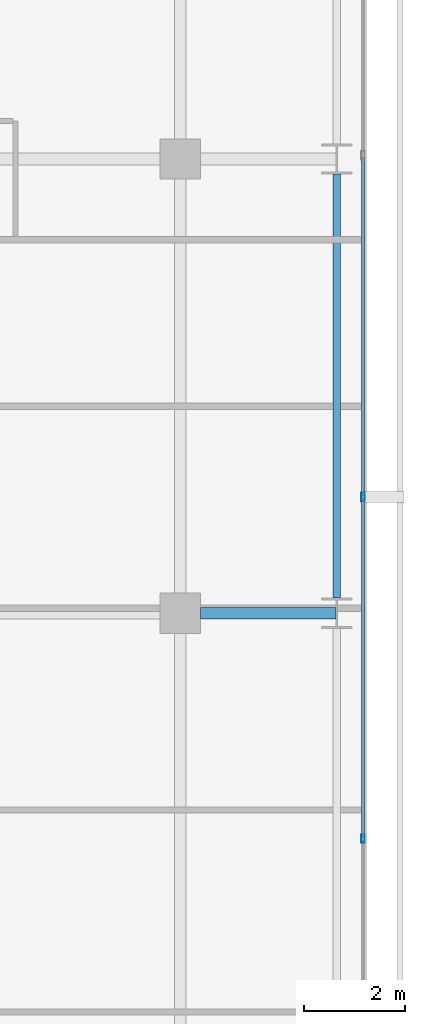
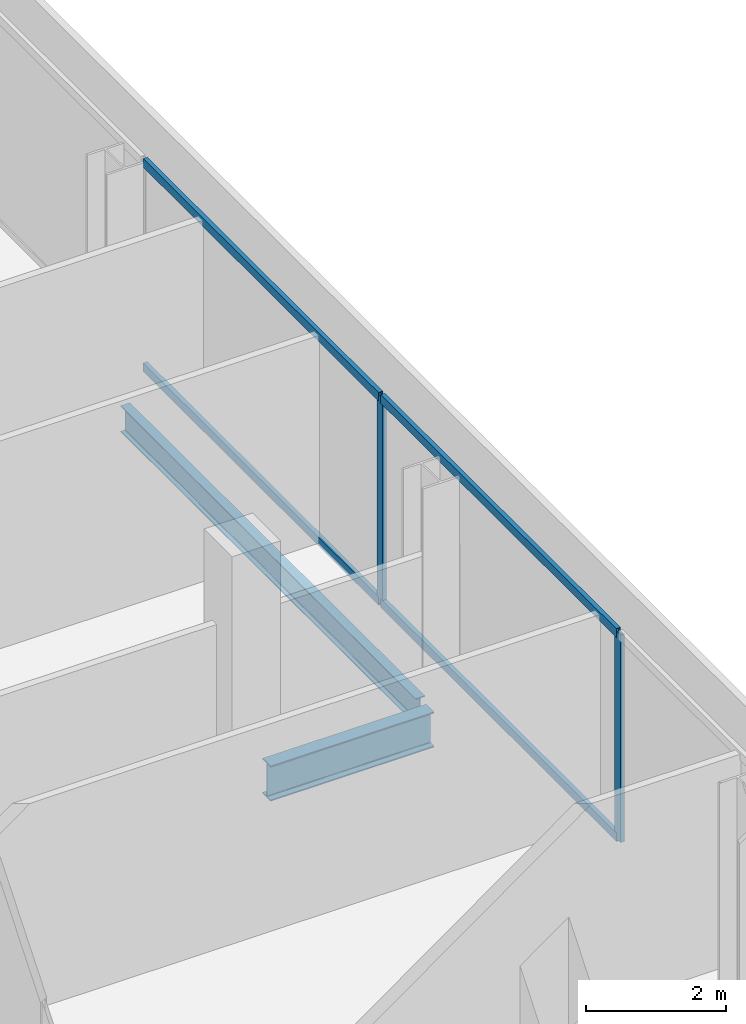
# One storey, part 17 of 34: 6 members, 2 beams, 1 element without a shape of its own.
"""IFC4 building model written with IfcOpenShell, lengths in metres."""

from ifc_helpers import new_model, si_unit, direction, frame, origin, origin_2d, place, context, subcontext, project, spatial, hollow_rectangle, i_section, extrude, material, layer, layer_set, material_profile, profile_set, type_object, element, aggregate, save


model = new_model("IFC4")

# Units and contexts
model_context = context("Model", 3, precision=1e-05, world=origin(), true_north=direction((0.0, 1.0)))
body_context = subcontext(model_context, "Body", "Model", "MODEL_VIEW")
ifc_project = project(units=[si_unit("LENGTHUNIT", "METRE"), si_unit("AREAUNIT", "SQUARE_METRE"), si_unit("VOLUMEUNIT", "CUBIC_METRE"), si_unit("PLANEANGLEUNIT", "RADIAN"), si_unit("MASSUNIT", "GRAM", prefix="KILO")], contexts=[model_context])

# Site, building, storey
site_placement = place(None, origin())
site = spatial("IfcSite", under=ifc_project, at=site_placement, CompositionType="ELEMENT")
building_placement = place(site_placement, origin())
building = spatial("IfcBuilding", under=site, at=building_placement, Name="Maruvema Waterfront Hotel and Observation Tower", CompositionType="ELEMENT")
storey_placement = place(building_placement, frame((0.0, 0.0, 131.25)))
storey = spatial("IfcBuildingStorey", under=building, at=storey_placement, Name="L31", CompositionType="ELEMENT", Elevation=131.25)

# Curtain wall, members
ifc_material_1 = material(Name="Anodised bronze aluminium and solar-control low-E IGU", Category="aluminium")
ifc_layer = layer(ifc_material_1, 0.159912109375, Name="Zone 2 Amber Inner Thermal Curtain Wall System CW-03")
ifc_layer_set = layer_set([ifc_layer], Name="Anodised bronze aluminium and solar-control low-E IGU")
curtain_wall_type = type_object("IfcCurtainWallType", Name="Zone 2 Amber Inner Thermal Curtain Wall System CW-03", PredefinedType="USERDEFINED", material=ifc_layer_set)
curtain_wall_placement = place(storey_placement, origin())
curtain_wall = element("IfcCurtainWall", 1, at=curtain_wall_placement, inside=storey, type_object=curtain_wall_type, Name="L31 Curtain Wall CW-L31-E", ObjectType="UNITISED CURTAIN WALL", PredefinedType="USERDEFINED")
ifc_material_2 = material(Name="Anodised architectural bronze aluminium", Category="aluminium")
ifc_material_profile_1 = material_profile(ifc_material_2, hollow_rectangle(XDim=0.070068359375, YDim=0.14990234375, WallThickness=0.00390625, at=origin_2d()), Name="ALU-T70x150")
ifc_profile_set_1 = profile_set([ifc_material_profile_1], Name="Anodised architectural bronze aluminium")
member_type_1 = type_object("IfcMemberType", Name="Curtain Wall Horizontal Transom ALU-T70x150", PredefinedType="USERDEFINED", material=ifc_profile_set_1)
member_1_placement = place(storey_placement, frame((62.419921875, 22.563232421875, 0.030029296875), z_axis=(0.0, 1.0, 0.0), x_axis=(-1.0, 0.0, 0.0)))
member_1 = element("IfcMember", 2, at=member_1_placement, type_object=member_type_1, Name="CW-03 transom 3.1", ObjectType="TRANSOM", PredefinedType="USERDEFINED", context=body_context, shape_type="SweptSolid", body=[
    extrude(hollow_rectangle(XDim=0.070068359375, YDim=0.14990234375, WallThickness=0.00390625, at=origin_2d()), origin(), (0.0, 0.0, 1.0), 6.706787109375),
])
member_2_placement = place(storey_placement, frame((62.419921875, 22.563232421875, 3.580078125), z_axis=(0.0, 1.0, 0.0), x_axis=(-1.0, 0.0, 0.0)))
member_2 = element("IfcMember", 3, at=member_2_placement, type_object=member_type_1, Name="CW-03 transom 3.2", ObjectType="TRANSOM", PredefinedType="USERDEFINED", context=body_context, shape_type="SweptSolid", body=[
    extrude(hollow_rectangle(XDim=0.070068359375, YDim=0.14990234375, WallThickness=0.00390625, at=origin_2d()), origin(), (0.0, 0.0, 1.0), 6.706787109375),
])
member_3_placement = place(storey_placement, frame((62.419921875, 29.330078125, 0.030029296875), z_axis=(0.0, 1.0, 0.0), x_axis=(-1.0, 0.0, 0.0)))
member_3 = element("IfcMember", 4, at=member_3_placement, type_object=member_type_1, Name="CW-03 transom 4.1", ObjectType="TRANSOM", PredefinedType="USERDEFINED", context=body_context, shape_type="SweptSolid", body=[
    extrude(hollow_rectangle(XDim=0.070068359375, YDim=0.14990234375, WallThickness=0.00390625, at=origin_2d()), origin(), (0.0, 0.0, 1.0), 6.70654296875),
])
member_4_placement = place(storey_placement, frame((62.419921875, 29.330078125, 3.580078125), z_axis=(0.0, 1.0, 0.0), x_axis=(-1.0, 0.0, 0.0)))
member_4 = element("IfcMember", 5, at=member_4_placement, type_object=member_type_1, Name="CW-03 transom 4.2", ObjectType="TRANSOM", PredefinedType="USERDEFINED", context=body_context, shape_type="SweptSolid", body=[
    extrude(hollow_rectangle(XDim=0.070068359375, YDim=0.14990234375, WallThickness=0.00390625, at=origin_2d()), origin(), (0.0, 0.0, 1.0), 6.70654296875),
])
ifc_material_3 = material(Name="Anodised architectural bronze aluminium", Category="aluminium")
ifc_material_profile_2 = material_profile(ifc_material_3, hollow_rectangle(XDim=0.06494140625, YDim=0.1650390625, WallThickness=0.00390625, at=origin_2d()), Name="ALU-M65x165")
ifc_profile_set_2 = profile_set([ifc_material_profile_2], Name="Anodised architectural bronze aluminium")
member_type_2 = type_object("IfcMemberType", Name="Curtain Wall Primary Mullion ALU-M65x165", PredefinedType="MULLION", material=ifc_profile_set_2)
member_5_placement = place(storey_placement, frame((62.419921875, 22.533447265625, 0.0), z_axis=(0.0, 0.0, 1.0), x_axis=(-1.0, 0.0, 0.0)))
member_5 = element("IfcMember", 6, at=member_5_placement, type_object=member_type_2, Name="CW-03 mullion 3", PredefinedType="MULLION", context=body_context, shape_type="SweptSolid", body=[
    extrude(hollow_rectangle(XDim=0.06494140625, YDim=0.1650390625, WallThickness=0.00390625, at=origin_2d()), origin(), (0.0, 0.0, 1.0), 3.610107421875),
])
member_6_placement = place(storey_placement, frame((62.419921875, 29.300048828125, 0.0), z_axis=(0.0, 0.0, 1.0), x_axis=(-1.0, 0.0, 0.0)))
member_6 = element("IfcMember", 7, at=member_6_placement, type_object=member_type_2, Name="CW-03 mullion 4", PredefinedType="MULLION", context=body_context, shape_type="SweptSolid", body=[
    extrude(hollow_rectangle(XDim=0.06494140625, YDim=0.1650390625, WallThickness=0.00390625, at=origin_2d()), origin(), (0.0, 0.0, 1.0), 3.610107421875),
])
aggregate(curtain_wall, [member_5, member_6, member_1, member_2, member_3, member_4])

# Beams
ifc_material_4 = material(Name="Steel ASTM A572 Grade 50", Category="steel")
ifc_material_profile_3 = material_profile(ifc_material_4, i_section(OverallWidth=0.153076171875, OverallDepth=0.455078125, WebThickness=0.008056640625, FlangeThickness=0.01318359375, FilletRadius=0.014892578125, at=origin_2d()), Name="W460x60.0")
ifc_profile_set_3 = profile_set([ifc_material_profile_3], Name="Steel ASTM A572 Grade 50")
beam_type_1 = type_object("IfcBeamType", Name="Perimeter Spandrel Beam W460x60.0", PredefinedType="SPANDREL", material=ifc_profile_set_3)
beam_1_placement = place(storey_placement, frame((61.89990234375, 27.300048828125, -0.467529296875), z_axis=(0.0, 1.0, 0.0), x_axis=(-1.0, 0.0, 0.0)))
element("IfcBeam", 8, at=beam_1_placement, inside=storey, type_object=beam_type_1, Name="L31 Floor Girder NS-31", PredefinedType="SPANDREL", context=body_context, shape_type="SweptSolid", body=[
    extrude(i_section(OverallWidth=0.153076171875, OverallDepth=0.455078125, WebThickness=0.008056640625, FlangeThickness=0.01318359375, FilletRadius=0.014892578125, at=origin_2d()), origin(), (0.0, 0.0, 1.0), 8.39990234375),
])
ifc_material_5 = material(Name="Steel ASTM A572 Grade 50", Category="steel")
ifc_material_profile_4 = material_profile(ifc_material_5, i_section(OverallWidth=0.22900390625, OverallDepth=0.612060546875, WebThickness=0.011962890625, FlangeThickness=0.01953125, FilletRadius=0.01806640625, at=origin_2d()), Name="W610x125.0")
ifc_profile_set_4 = profile_set([ifc_material_profile_4], Name="Steel ASTM A572 Grade 50")
beam_type_2 = type_object("IfcBeamType", Name="Primary Floor Girder W610x125.0", PredefinedType="BEAM", material=ifc_profile_set_4)
beam_2_placement = place(storey_placement, frame((59.199951171875, 27.0, -0.5458984375), z_axis=(1.0, 0.0, 0.0), x_axis=(0.0, 1.0, 0.0)))
element("IfcBeam", 9, at=beam_2_placement, inside=storey, type_object=beam_type_2, Name="L31 Floor Girder EW-22", PredefinedType="BEAM", context=body_context, shape_type="SweptSolid", body=[
    extrude(i_section(OverallWidth=0.22900390625, OverallDepth=0.612060546875, WebThickness=0.011962890625, FlangeThickness=0.01953125, FilletRadius=0.01806640625, at=origin_2d()), origin(), (0.0, 0.0, 1.0), 2.6875),
])

save(model, "model.ifc")
